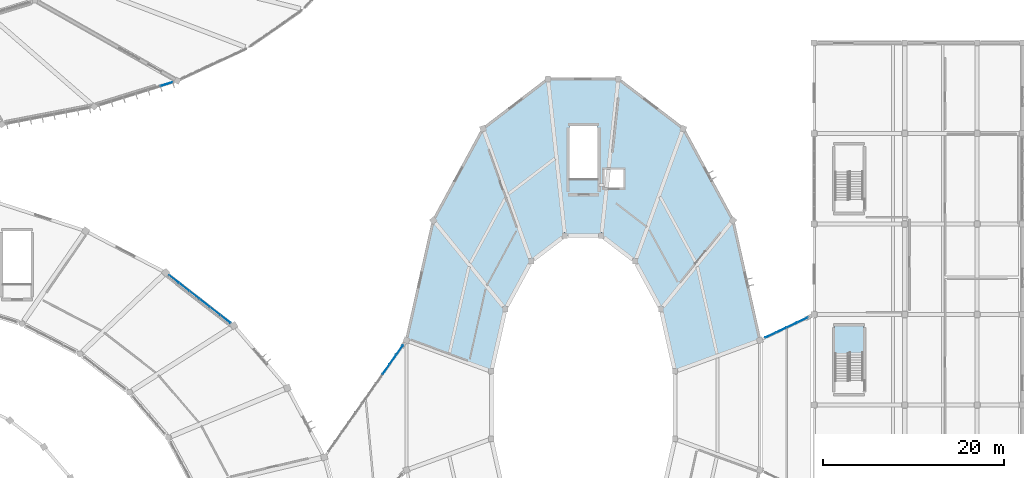
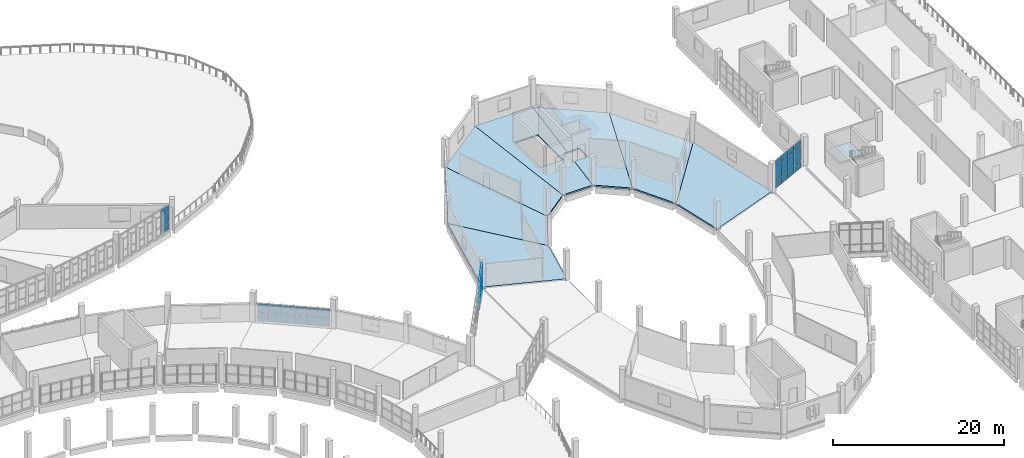
# One storey, part 90 of 142: 36 plates, 8 slabs, 5 elements without a shape of their own.
"""IFC4 building model written with IfcOpenShell, lengths in metres."""

from ifc_helpers import new_model, si_unit, direction, frame, origin, origin_2d, place, context, subcontext, project, spatial, polyline, rectangle, outline, extrude, material, layer, layer_set, type_object, element, aggregate, save


model = new_model("IFC4")

# Units and contexts
model_context = context("Model", 3, precision=1e-05, world=origin(), true_north=direction((0.0, 1.0)))
body_context = subcontext(model_context, "Body", "Model", "MODEL_VIEW")
ifc_project = project(units=[si_unit("LENGTHUNIT", "METRE"), si_unit("AREAUNIT", "SQUARE_METRE"), si_unit("VOLUMEUNIT", "CUBIC_METRE"), si_unit("PLANEANGLEUNIT", "RADIAN"), si_unit("MASSUNIT", "GRAM", prefix="KILO")], contexts=[model_context])

# Site, building, storey
site_placement = place(None, origin())
site = spatial("IfcSite", under=ifc_project, at=site_placement, CompositionType="ELEMENT")
building_placement = place(site_placement, origin())
building = spatial("IfcBuilding", under=site, at=building_placement, Name="Corvandel Quay Wholesale Market", CompositionType="ELEMENT")
storey_placement = place(building_placement, frame((0.0, 0.0, 10.800048828125)))
storey = spatial("IfcBuildingStorey", under=building, at=storey_placement, Name="L02", CompositionType="ELEMENT", Elevation=10.800048828125)

# Curtain wall, plate
ifc_material_1 = material(Name="Bronze anodised aluminium and low-E insulated glazing", Category="aluminium")
ifc_layer_1 = layer(ifc_material_1, 0.197998046875)
ifc_layer_set_1 = layer_set([ifc_layer_1], Name="Bronze anodised aluminium and low-E insulated glazing")
curtain_wall_type_1 = type_object("IfcCurtainWallType", Name="Stick Curtain Wall System CW09 H3810", PredefinedType="NOTDEFINED", material=ifc_layer_set_1)
curtain_wall_1_placement = place(storey_placement, origin())
curtain_wall_1 = element("IfcCurtainWall", 1, at=curtain_wall_1_placement, inside=storey, type_object=curtain_wall_type_1, Name="Curtain Wall CW-0123", PredefinedType="NOTDEFINED")
ifc_material_2 = material(Name="Solar-control low-E insulated glazing", Category="glass")
ifc_layer_2 = layer(ifc_material_2, 0.0400390625)
ifc_layer_set_2 = layer_set([ifc_layer_2], Name="Solar-control low-E insulated glazing")
plate_type_1 = type_object("IfcPlateType", Name="Ceramic Fritted Spandrel Panel PN03 40mm", PredefinedType="CURTAIN_PANEL", material=ifc_layer_set_2)
plate_1_placement = place(storey_placement, frame((148.50390625, 95.43359375, 2.679931640625), z_axis=(0.0, 0.0, 1.0), x_axis=(0.955123398809, 0.296208192067, 0.0)))
plate_1 = element("IfcPlate", 2, at=plate_1_placement, type_object=plate_type_1, Name="Glazing Panel CW-0123-P05-2", PredefinedType="CURTAIN_PANEL", context=body_context, shape_type="SweptSolid", body=[
    extrude(rectangle(XDim=1.35546875, YDim=0.0400390625, at=origin_2d()), origin(), (0.0, 0.0, 1.0), 0.7900390625),
])

# Curtain wall, plates
ifc_layer_3 = layer(ifc_material_1, 0.14990234375)
ifc_layer_set_3 = layer_set([ifc_layer_3], Name="Bronze anodised aluminium and low-E insulated glazing")
curtain_wall_type_2 = type_object("IfcCurtainWallType", Name="Stick Curtain Wall System CW20 H4800", PredefinedType="NOTDEFINED", material=ifc_layer_set_3)
curtain_wall_2_placement = place(storey_placement, origin())
curtain_wall_2 = element("IfcCurtainWall", 3, at=curtain_wall_2_placement, inside=storey, type_object=curtain_wall_type_2, Name="Curtain Wall CW-0179", PredefinedType="NOTDEFINED")
plate_2_placement = place(storey_placement, frame((172.741943359375, 63.94873046875, 3.1474609375), z_axis=(0.0, 0.0, 1.0), x_axis=(0.575148037348, 0.818049347616, 0.0)))
plate_2 = element("IfcPlate", 4, at=plate_2_placement, type_object=plate_type_1, Name="Glazing Panel CW-0179-P08-2", PredefinedType="CURTAIN_PANEL", context=body_context, shape_type="SweptSolid", body=[
    extrude(rectangle(XDim=1.24462890625, YDim=0.0400390625, at=origin_2d()), origin(), (0.0, 0.0, 1.0), 0.794921875),
])
plate_3_placement = place(storey_placement, frame((173.4921875, 65.01611328125, 3.1474609375), z_axis=(0.0, 0.0, 1.0), x_axis=(0.575148037348, 0.818049347616, 0.0)))
plate_3 = element("IfcPlate", 5, at=plate_3_placement, type_object=plate_type_1, Name="Glazing Panel CW-0179-P09-2", PredefinedType="CURTAIN_PANEL", context=body_context, shape_type="SweptSolid", body=[
    extrude(rectangle(XDim=1.24462890625, YDim=0.0400390625, at=origin_2d()), origin(), (0.0, 0.0, 1.0), 0.794921875),
])
plate_4_placement = place(storey_placement, frame((174.242431640625, 66.083251953125, 3.1474609375), z_axis=(0.0, 0.0, 1.0), x_axis=(0.575148037348, 0.818049347616, 0.0)))
plate_4 = element("IfcPlate", 6, at=plate_4_placement, type_object=plate_type_1, Name="Glazing Panel CW-0179-P10-2", PredefinedType="CURTAIN_PANEL", context=body_context, shape_type="SweptSolid", body=[
    extrude(rectangle(XDim=1.24462890625, YDim=0.0400390625, at=origin_2d()), origin(), (0.0, 0.0, 1.0), 0.794921875),
])

ifc_layer_4 = layer(ifc_material_1, 0.162109375)
ifc_layer_set_4 = layer_set([ifc_layer_4], Name="Bronze anodised aluminium and low-E insulated glazing")
curtain_wall_type_3 = type_object("IfcCurtainWallType", Name="Stick Curtain Wall System CW26 H5340", PredefinedType="NOTDEFINED", material=ifc_layer_set_4)
curtain_wall_3_placement = place(storey_placement, origin())
curtain_wall_3 = element("IfcCurtainWall", 7, at=curtain_wall_3_placement, inside=storey, type_object=curtain_wall_type_3, Name="Curtain Wall CW-0183", PredefinedType="NOTDEFINED")
plate_5_placement = place(storey_placement, frame((215.189453125, 67.723876953125, 3.1474609375), z_axis=(0.0, 0.0, 1.0), x_axis=(0.903933318548, 0.427673421689, 0.0)))
plate_5 = element("IfcPlate", 8, at=plate_5_placement, type_object=plate_type_1, Name="Glazing Panel CW-0183-P00-2", PredefinedType="CURTAIN_PANEL", context=body_context, shape_type="SweptSolid", body=[
    extrude(rectangle(XDim=1.241943359375, YDim=0.0400390625, at=origin_2d()), origin(), (0.0, 0.0, 1.0), 0.794921875),
])
plate_6_placement = place(storey_placement, frame((216.366455078125, 68.28076171875, 3.1474609375), z_axis=(0.0, 0.0, 1.0), x_axis=(0.903933318548, 0.427673421689, 0.0)))
plate_6 = element("IfcPlate", 9, at=plate_6_placement, type_object=plate_type_1, Name="Glazing Panel CW-0183-P01-2", PredefinedType="CURTAIN_PANEL", context=body_context, shape_type="SweptSolid", body=[
    extrude(rectangle(XDim=1.241943359375, YDim=0.0400390625, at=origin_2d()), origin(), (0.0, 0.0, 1.0), 0.794921875),
])
plate_7_placement = place(storey_placement, frame((217.543212890625, 68.83740234375, 3.1474609375), z_axis=(0.0, 0.0, 1.0), x_axis=(0.903933318548, 0.427673421689, 0.0)))
plate_7 = element("IfcPlate", 10, at=plate_7_placement, type_object=plate_type_1, Name="Glazing Panel CW-0183-P02-2", PredefinedType="CURTAIN_PANEL", context=body_context, shape_type="SweptSolid", body=[
    extrude(rectangle(XDim=1.241943359375, YDim=0.0400390625, at=origin_2d()), origin(), (0.0, 0.0, 1.0), 0.794921875),
])
plate_8_placement = place(storey_placement, frame((218.72021484375, 69.394287109375, 3.1474609375), z_axis=(0.0, 0.0, 1.0), x_axis=(0.903933318548, 0.427673421689, 0.0)))
plate_8 = element("IfcPlate", 11, at=plate_8_placement, type_object=plate_type_1, Name="Glazing Panel CW-0183-P03-2", PredefinedType="CURTAIN_PANEL", context=body_context, shape_type="SweptSolid", body=[
    extrude(rectangle(XDim=1.241943359375, YDim=0.0400390625, at=origin_2d()), origin(), (0.0, 0.0, 1.0), 0.794921875),
])

# Slabs
ifc_material_3 = material(Name="Precast concrete C45/55", Category="concrete")
ifc_layer_5 = layer(ifc_material_3, 0.219970703125)
ifc_layer_set_5 = layer_set([ifc_layer_5], Name="Precast concrete C45/55")
slab_type_1 = type_object("IfcSlabType", Name="Composite Precast Office Floor Slab 220", PredefinedType="FLOOR", material=ifc_layer_set_5)
slab_1_placement = place(storey_placement, frame((0.0, 0.0, -0.219970703125)))
element("IfcSlab", 12, at=slab_1_placement, inside=storey, type_object=slab_type_1, Name="Slab SLB-0385", PredefinedType="FLOOR", context=body_context, shape_type="SweptSolid", body=[
    extrude(outline(polyline([(204.639892578125, 63.72412109375), (203.095947265625, 70.60400390625), (211.031005859375, 80.39208984375), (214.0, 67.160888671875), (204.639892578125, 63.72412109375)])), origin(), (0.0, 0.0, 1.0), 0.219970703125),
])
slab_2_placement = place(storey_placement, frame((0.0, 0.0, -0.219970703125)))
element("IfcSlab", 13, at=slab_2_placement, inside=storey, type_object=slab_type_1, Name="Slab SLB-0389", PredefinedType="FLOOR", context=body_context, shape_type="SweptSolid", body=[
    extrude(outline(polyline([(203.095947265625, 70.60400390625), (200.243896484375, 75.8701171875), (205.5458984375, 90.51904296875), (211.031005859375, 80.39208984375), (203.095947265625, 70.60400390625)])), origin(), (0.0, 0.0, 1.0), 0.219970703125),
])
slab_3_placement = place(storey_placement, frame((0.0, 0.0, -0.219970703125)))
element("IfcSlab", 14, at=slab_3_placement, inside=storey, type_object=slab_type_1, Name="Slab SLB-0393", PredefinedType="FLOOR", context=body_context, shape_type="SweptSolid", body=[
    extrude(outline(polyline([(198.37890625, 96.0), (205.5458984375, 90.51904296875), (200.243896484375, 75.8701171875), (196.51708984375, 78.719970703125), (197.0859375, 84.0), (198.949951171875, 84.0), (198.949951171875, 86.0), (197.301025390625, 86.0), (198.37890625, 96.0)])), origin(), (0.0, 0.0, 1.0), 0.219970703125),
])
slab_4_placement = place(storey_placement, frame((0.0, 0.0, -0.219970703125)))
element("IfcSlab", 15, at=slab_4_placement, inside=storey, type_object=slab_type_1, Name="Slab SLB-0397", PredefinedType="FLOOR", context=body_context, shape_type="SweptSolid", body=[
    extrude(outline(polyline([(196.51708984375, 78.719970703125), (192.48291015625, 78.719970703125), (190.62109375, 96.0), (198.37890625, 96.0), (197.301025390625, 86.0), (196.85009765625, 86.0), (196.85009765625, 84.0), (197.0859375, 84.0), (196.51708984375, 78.719970703125)]), holes=[polyline([(196.10009765625, 84.89990234375), (196.10009765625, 90.800048828125), (193.0, 90.800048828125), (193.0, 84.89990234375), (196.10009765625, 84.89990234375)])]), origin(), (0.0, 0.0, 1.0), 0.219970703125),
])
slab_5_placement = place(storey_placement, frame((0.0, 0.0, -0.219970703125)))
element("IfcSlab", 16, at=slab_5_placement, inside=storey, type_object=slab_type_1, Name="Slab SLB-0401", PredefinedType="FLOOR", context=body_context, shape_type="SweptSolid", body=[
    extrude(outline(polyline([(192.48291015625, 78.719970703125), (188.756103515625, 75.8701171875), (183.4541015625, 90.51904296875), (190.62109375, 96.0), (192.48291015625, 78.719970703125)])), origin(), (0.0, 0.0, 1.0), 0.219970703125),
])
slab_6_placement = place(storey_placement, frame((0.0, 0.0, -0.219970703125)))
element("IfcSlab", 17, at=slab_6_placement, inside=storey, type_object=slab_type_1, Name="Slab SLB-0405", PredefinedType="FLOOR", context=body_context, shape_type="SweptSolid", body=[
    extrude(outline(polyline([(188.756103515625, 75.8701171875), (185.904052734375, 70.60400390625), (177.968994140625, 80.39208984375), (183.4541015625, 90.51904296875), (188.756103515625, 75.8701171875)])), origin(), (0.0, 0.0, 1.0), 0.219970703125),
])
slab_7_placement = place(storey_placement, frame((0.0, 0.0, -0.219970703125)))
element("IfcSlab", 18, at=slab_7_placement, inside=storey, type_object=slab_type_1, Name="Slab SLB-0409", PredefinedType="FLOOR", context=body_context, shape_type="SweptSolid", body=[
    extrude(outline(polyline([(185.904052734375, 70.60400390625), (184.360107421875, 63.72412109375), (175.0, 67.160888671875), (177.968994140625, 80.39208984375), (185.904052734375, 70.60400390625)])), origin(), (0.0, 0.0, 1.0), 0.219970703125),
])

# Curtain wall, plates
ifc_layer_6 = layer(ifc_material_1, 0.174072265625)
ifc_layer_set_6 = layer_set([ifc_layer_6], Name="Bronze anodised aluminium and low-E insulated glazing")
curtain_wall_type_4 = type_object("IfcCurtainWallType", Name="Stick Curtain Wall System CW12 H4080", PredefinedType="NOTDEFINED", material=ifc_layer_set_6)
curtain_wall_4_placement = place(storey_placement, origin())
curtain_wall_4 = element("IfcCurtainWall", 19, at=curtain_wall_4_placement, inside=storey, type_object=curtain_wall_type_4, Name="Curtain Wall CW-0009", PredefinedType="NOTDEFINED")
ifc_layer_7 = layer(ifc_material_2, 0.028076171875)
ifc_layer_set_7 = layer_set([ifc_layer_7], Name="Solar-control low-E insulated glazing")
plate_type_2 = type_object("IfcPlateType", Name="Double Low-E Vision Panel PN01 28mm", PredefinedType="CURTAIN_PANEL", material=ifc_layer_set_7)
plate_9_placement = place(storey_placement, frame((155.022216796875, 69.49072265625, 0.02978515625), z_axis=(0.0, 0.0, 1.0), x_axis=(-0.789298462742, 0.614009720373, 0.0)))
plate_9 = element("IfcPlate", 20, at=plate_9_placement, type_object=plate_type_2, Name="Glazing Panel CW-0009-P00-0", PredefinedType="CURTAIN_PANEL", context=body_context, shape_type="SweptSolid", body=[
    extrude(rectangle(XDim=1.373291015625, YDim=0.028076171875, at=origin_2d()), origin(), (0.0, 0.0, 1.0), 1.215087890625),
])
plate_10_placement = place(storey_placement, frame((155.022216796875, 69.49072265625, 1.3046875), z_axis=(0.0, 0.0, 1.0), x_axis=(-0.789298462742, 0.614009720373, 0.0)))
plate_10 = element("IfcPlate", 21, at=plate_10_placement, type_object=plate_type_2, Name="Glazing Panel CW-0009-P00-1", PredefinedType="CURTAIN_PANEL", context=body_context, shape_type="SweptSolid", body=[
    extrude(rectangle(XDim=1.373291015625, YDim=0.028076171875, at=origin_2d()), origin(), (0.0, 0.0, 1.0), 1.215087890625),
])
plate_11_placement = place(storey_placement, frame((153.886962890625, 70.373779296875, 0.02978515625), z_axis=(0.0, 0.0, 1.0), x_axis=(-0.789298462742, 0.614009720373, 0.0)))
plate_11 = element("IfcPlate", 22, at=plate_11_placement, type_object=plate_type_2, Name="Glazing Panel CW-0009-P01-0", PredefinedType="CURTAIN_PANEL", context=body_context, shape_type="SweptSolid", body=[
    extrude(rectangle(XDim=1.373291015625, YDim=0.028076171875, at=origin_2d()), origin(), (0.0, 0.0, 1.0), 1.215087890625),
])
plate_12_placement = place(storey_placement, frame((153.886962890625, 70.373779296875, 1.3046875), z_axis=(0.0, 0.0, 1.0), x_axis=(-0.789298462742, 0.614009720373, 0.0)))
plate_12 = element("IfcPlate", 23, at=plate_12_placement, type_object=plate_type_2, Name="Glazing Panel CW-0009-P01-1", PredefinedType="CURTAIN_PANEL", context=body_context, shape_type="SweptSolid", body=[
    extrude(rectangle(XDim=1.373291015625, YDim=0.028076171875, at=origin_2d()), origin(), (0.0, 0.0, 1.0), 1.215087890625),
])
plate_13_placement = place(storey_placement, frame((152.751708984375, 71.257080078125, 0.02978515625), z_axis=(0.0, 0.0, 1.0), x_axis=(-0.789298462742, 0.614009720373, 0.0)))
plate_13 = element("IfcPlate", 24, at=plate_13_placement, type_object=plate_type_2, Name="Glazing Panel CW-0009-P02-0", PredefinedType="CURTAIN_PANEL", context=body_context, shape_type="SweptSolid", body=[
    extrude(rectangle(XDim=1.373291015625, YDim=0.028076171875, at=origin_2d()), origin(), (0.0, 0.0, 1.0), 1.215087890625),
])
plate_14_placement = place(storey_placement, frame((152.751708984375, 71.257080078125, 1.3046875), z_axis=(0.0, 0.0, 1.0), x_axis=(-0.789298462742, 0.614009720373, 0.0)))
plate_14 = element("IfcPlate", 25, at=plate_14_placement, type_object=plate_type_2, Name="Glazing Panel CW-0009-P02-1", PredefinedType="CURTAIN_PANEL", context=body_context, shape_type="SweptSolid", body=[
    extrude(rectangle(XDim=1.373291015625, YDim=0.028076171875, at=origin_2d()), origin(), (0.0, 0.0, 1.0), 1.215087890625),
])
plate_15_placement = place(storey_placement, frame((151.616455078125, 72.139892578125, 0.02978515625), z_axis=(0.0, 0.0, 1.0), x_axis=(-0.789298462742, 0.614009720373, 0.0)))
plate_15 = element("IfcPlate", 26, at=plate_15_placement, type_object=plate_type_2, Name="Glazing Panel CW-0009-P03-0", PredefinedType="CURTAIN_PANEL", context=body_context, shape_type="SweptSolid", body=[
    extrude(rectangle(XDim=1.373291015625, YDim=0.028076171875, at=origin_2d()), origin(), (0.0, 0.0, 1.0), 1.215087890625),
])
plate_16_placement = place(storey_placement, frame((151.616455078125, 72.139892578125, 1.3046875), z_axis=(0.0, 0.0, 1.0), x_axis=(-0.789298462742, 0.614009720373, 0.0)))
plate_16 = element("IfcPlate", 27, at=plate_16_placement, type_object=plate_type_2, Name="Glazing Panel CW-0009-P03-1", PredefinedType="CURTAIN_PANEL", context=body_context, shape_type="SweptSolid", body=[
    extrude(rectangle(XDim=1.373291015625, YDim=0.028076171875, at=origin_2d()), origin(), (0.0, 0.0, 1.0), 1.215087890625),
])
plate_17_placement = place(storey_placement, frame((150.481201171875, 73.023193359375, 0.02978515625), z_axis=(0.0, 0.0, 1.0), x_axis=(-0.789298462742, 0.614009720373, 0.0)))
plate_17 = element("IfcPlate", 28, at=plate_17_placement, type_object=plate_type_2, Name="Glazing Panel CW-0009-P04-0", PredefinedType="CURTAIN_PANEL", context=body_context, shape_type="SweptSolid", body=[
    extrude(rectangle(XDim=1.373291015625, YDim=0.028076171875, at=origin_2d()), origin(), (0.0, 0.0, 1.0), 1.215087890625),
])
plate_18_placement = place(storey_placement, frame((150.481201171875, 73.023193359375, 1.3046875), z_axis=(0.0, 0.0, 1.0), x_axis=(-0.789298462742, 0.614009720373, 0.0)))
plate_18 = element("IfcPlate", 29, at=plate_18_placement, type_object=plate_type_2, Name="Glazing Panel CW-0009-P04-1", PredefinedType="CURTAIN_PANEL", context=body_context, shape_type="SweptSolid", body=[
    extrude(rectangle(XDim=1.373291015625, YDim=0.028076171875, at=origin_2d()), origin(), (0.0, 0.0, 1.0), 1.215087890625),
])
plate_19_placement = place(storey_placement, frame((149.345703125, 73.90625, 0.02978515625), z_axis=(0.0, 0.0, 1.0), x_axis=(-0.789298462742, 0.614009720373, 0.0)))
plate_19 = element("IfcPlate", 30, at=plate_19_placement, type_object=plate_type_2, Name="Glazing Panel CW-0009-P05-0", PredefinedType="CURTAIN_PANEL", context=body_context, shape_type="SweptSolid", body=[
    extrude(rectangle(XDim=1.373291015625, YDim=0.028076171875, at=origin_2d()), origin(), (0.0, 0.0, 1.0), 1.215087890625),
])
plate_20_placement = place(storey_placement, frame((149.345703125, 73.90625, 1.3046875), z_axis=(0.0, 0.0, 1.0), x_axis=(-0.789298462742, 0.614009720373, 0.0)))
plate_20 = element("IfcPlate", 31, at=plate_20_placement, type_object=plate_type_2, Name="Glazing Panel CW-0009-P05-1", PredefinedType="CURTAIN_PANEL", context=body_context, shape_type="SweptSolid", body=[
    extrude(rectangle(XDim=1.373291015625, YDim=0.028076171875, at=origin_2d()), origin(), (0.0, 0.0, 1.0), 1.215087890625),
])
aggregate(curtain_wall_4, [plate_9, plate_10, plate_11, plate_12, plate_13, plate_14, plate_15, plate_16, plate_17, plate_18, plate_19, plate_20])

# Plate
plate_21_placement = place(storey_placement, frame((148.50390625, 95.43359375, 0.02978515625), z_axis=(0.0, 0.0, 1.0), x_axis=(0.955123398809, 0.296208192067, 0.0)))
plate_21 = element("IfcPlate", 32, at=plate_21_placement, type_object=plate_type_2, Name="Glazing Panel CW-0123-P05-0", PredefinedType="CURTAIN_PANEL", context=body_context, shape_type="SweptSolid", body=[
    extrude(rectangle(XDim=1.35546875, YDim=0.028076171875, at=origin_2d()), origin(), (0.0, 0.0, 1.0), 0.989990234375),
])

plate_22_placement = place(storey_placement, frame((148.50390625, 95.43359375, 1.079833984375), z_axis=(0.0, 0.0, 1.0), x_axis=(0.955123398809, 0.296208192067, 0.0)))
plate_22 = element("IfcPlate", 33, at=plate_22_placement, type_object=plate_type_2, Name="Glazing Panel CW-0123-P05-1", PredefinedType="CURTAIN_PANEL", context=body_context, shape_type="SweptSolid", body=[
    extrude(rectangle(XDim=1.35546875, YDim=0.028076171875, at=origin_2d()), origin(), (0.0, 0.0, 1.0), 1.5400390625),
])

aggregate(curtain_wall_1, [plate_21, plate_22, plate_1])

plate_23_placement = place(storey_placement, frame((172.741943359375, 63.94873046875, -0.002685546875), z_axis=(0.0, 0.0, 1.0), x_axis=(0.575148037348, 0.818049347616, 0.0)))
plate_23 = element("IfcPlate", 34, at=plate_23_placement, type_object=plate_type_2, Name="Glazing Panel CW-0179-P08-0", PredefinedType="CURTAIN_PANEL", context=body_context, shape_type="SweptSolid", body=[
    extrude(rectangle(XDim=1.24462890625, YDim=0.028076171875, at=origin_2d()), origin(), (0.0, 0.0, 1.0), 0.9951171875),
])

plate_24_placement = place(storey_placement, frame((172.741943359375, 63.94873046875, 1.047607421875), z_axis=(0.0, 0.0, 1.0), x_axis=(0.575148037348, 0.818049347616, 0.0)))
plate_24 = element("IfcPlate", 35, at=plate_24_placement, type_object=plate_type_2, Name="Glazing Panel CW-0179-P08-1", PredefinedType="CURTAIN_PANEL", context=body_context, shape_type="SweptSolid", body=[
    extrude(rectangle(XDim=1.24462890625, YDim=0.028076171875, at=origin_2d()), origin(), (0.0, 0.0, 1.0), 2.044921875),
])

plate_25_placement = place(storey_placement, frame((173.4921875, 65.01611328125, -0.002685546875), z_axis=(0.0, 0.0, 1.0), x_axis=(0.575148037348, 0.818049347616, 0.0)))
plate_25 = element("IfcPlate", 36, at=plate_25_placement, type_object=plate_type_2, Name="Glazing Panel CW-0179-P09-0", PredefinedType="CURTAIN_PANEL", context=body_context, shape_type="SweptSolid", body=[
    extrude(rectangle(XDim=1.24462890625, YDim=0.028076171875, at=origin_2d()), origin(), (0.0, 0.0, 1.0), 0.9951171875),
])

plate_26_placement = place(storey_placement, frame((173.4921875, 65.01611328125, 1.047607421875), z_axis=(0.0, 0.0, 1.0), x_axis=(0.575148037348, 0.818049347616, 0.0)))
plate_26 = element("IfcPlate", 37, at=plate_26_placement, type_object=plate_type_2, Name="Glazing Panel CW-0179-P09-1", PredefinedType="CURTAIN_PANEL", context=body_context, shape_type="SweptSolid", body=[
    extrude(rectangle(XDim=1.24462890625, YDim=0.028076171875, at=origin_2d()), origin(), (0.0, 0.0, 1.0), 2.044921875),
])

plate_27_placement = place(storey_placement, frame((174.242431640625, 66.083251953125, -0.002685546875), z_axis=(0.0, 0.0, 1.0), x_axis=(0.575148037348, 0.818049347616, 0.0)))
plate_27 = element("IfcPlate", 38, at=plate_27_placement, type_object=plate_type_2, Name="Glazing Panel CW-0179-P10-0", PredefinedType="CURTAIN_PANEL", context=body_context, shape_type="SweptSolid", body=[
    extrude(rectangle(XDim=1.24462890625, YDim=0.028076171875, at=origin_2d()), origin(), (0.0, 0.0, 1.0), 0.9951171875),
])

plate_28_placement = place(storey_placement, frame((174.242431640625, 66.083251953125, 1.047607421875), z_axis=(0.0, 0.0, 1.0), x_axis=(0.575148037348, 0.818049347616, 0.0)))
plate_28 = element("IfcPlate", 39, at=plate_28_placement, type_object=plate_type_2, Name="Glazing Panel CW-0179-P10-1", PredefinedType="CURTAIN_PANEL", context=body_context, shape_type="SweptSolid", body=[
    extrude(rectangle(XDim=1.24462890625, YDim=0.028076171875, at=origin_2d()), origin(), (0.0, 0.0, 1.0), 2.044921875),
])

aggregate(curtain_wall_2, [plate_23, plate_24, plate_2, plate_25, plate_26, plate_3, plate_27, plate_28, plate_4])

plate_29_placement = place(storey_placement, frame((215.189453125, 67.723876953125, -0.002685546875), z_axis=(0.0, 0.0, 1.0), x_axis=(0.903933318548, 0.427673421689, 0.0)))
plate_29 = element("IfcPlate", 40, at=plate_29_placement, type_object=plate_type_2, Name="Glazing Panel CW-0183-P00-0", PredefinedType="CURTAIN_PANEL", context=body_context, shape_type="SweptSolid", body=[
    extrude(rectangle(XDim=1.241943359375, YDim=0.028076171875, at=origin_2d()), origin(), (0.0, 0.0, 1.0), 0.9951171875),
])

plate_30_placement = place(storey_placement, frame((215.189453125, 67.723876953125, 1.047607421875), z_axis=(0.0, 0.0, 1.0), x_axis=(0.903933318548, 0.427673421689, 0.0)))
plate_30 = element("IfcPlate", 41, at=plate_30_placement, type_object=plate_type_2, Name="Glazing Panel CW-0183-P00-1", PredefinedType="CURTAIN_PANEL", context=body_context, shape_type="SweptSolid", body=[
    extrude(rectangle(XDim=1.241943359375, YDim=0.028076171875, at=origin_2d()), origin(), (0.0, 0.0, 1.0), 2.044921875),
])

plate_31_placement = place(storey_placement, frame((216.366455078125, 68.28076171875, -0.002685546875), z_axis=(0.0, 0.0, 1.0), x_axis=(0.903933318548, 0.427673421689, 0.0)))
plate_31 = element("IfcPlate", 42, at=plate_31_placement, type_object=plate_type_2, Name="Glazing Panel CW-0183-P01-0", PredefinedType="CURTAIN_PANEL", context=body_context, shape_type="SweptSolid", body=[
    extrude(rectangle(XDim=1.241943359375, YDim=0.028076171875, at=origin_2d()), origin(), (0.0, 0.0, 1.0), 0.9951171875),
])

plate_32_placement = place(storey_placement, frame((216.366455078125, 68.28076171875, 1.047607421875), z_axis=(0.0, 0.0, 1.0), x_axis=(0.903933318548, 0.427673421689, 0.0)))
plate_32 = element("IfcPlate", 43, at=plate_32_placement, type_object=plate_type_2, Name="Glazing Panel CW-0183-P01-1", PredefinedType="CURTAIN_PANEL", context=body_context, shape_type="SweptSolid", body=[
    extrude(rectangle(XDim=1.241943359375, YDim=0.028076171875, at=origin_2d()), origin(), (0.0, 0.0, 1.0), 2.044921875),
])

plate_33_placement = place(storey_placement, frame((217.543212890625, 68.83740234375, -0.002685546875), z_axis=(0.0, 0.0, 1.0), x_axis=(0.903933318548, 0.427673421689, 0.0)))
plate_33 = element("IfcPlate", 44, at=plate_33_placement, type_object=plate_type_2, Name="Glazing Panel CW-0183-P02-0", PredefinedType="CURTAIN_PANEL", context=body_context, shape_type="SweptSolid", body=[
    extrude(rectangle(XDim=1.241943359375, YDim=0.028076171875, at=origin_2d()), origin(), (0.0, 0.0, 1.0), 0.9951171875),
])

plate_34_placement = place(storey_placement, frame((217.543212890625, 68.83740234375, 1.047607421875), z_axis=(0.0, 0.0, 1.0), x_axis=(0.903933318548, 0.427673421689, 0.0)))
plate_34 = element("IfcPlate", 45, at=plate_34_placement, type_object=plate_type_2, Name="Glazing Panel CW-0183-P02-1", PredefinedType="CURTAIN_PANEL", context=body_context, shape_type="SweptSolid", body=[
    extrude(rectangle(XDim=1.241943359375, YDim=0.028076171875, at=origin_2d()), origin(), (0.0, 0.0, 1.0), 2.044921875),
])

plate_35_placement = place(storey_placement, frame((218.72021484375, 69.394287109375, -0.002685546875), z_axis=(0.0, 0.0, 1.0), x_axis=(0.903933318548, 0.427673421689, 0.0)))
plate_35 = element("IfcPlate", 46, at=plate_35_placement, type_object=plate_type_2, Name="Glazing Panel CW-0183-P03-0", PredefinedType="CURTAIN_PANEL", context=body_context, shape_type="SweptSolid", body=[
    extrude(rectangle(XDim=1.241943359375, YDim=0.028076171875, at=origin_2d()), origin(), (0.0, 0.0, 1.0), 0.9951171875),
])

plate_36_placement = place(storey_placement, frame((218.72021484375, 69.394287109375, 1.047607421875), z_axis=(0.0, 0.0, 1.0), x_axis=(0.903933318548, 0.427673421689, 0.0)))
plate_36 = element("IfcPlate", 47, at=plate_36_placement, type_object=plate_type_2, Name="Glazing Panel CW-0183-P03-1", PredefinedType="CURTAIN_PANEL", context=body_context, shape_type="SweptSolid", body=[
    extrude(rectangle(XDim=1.241943359375, YDim=0.028076171875, at=origin_2d()), origin(), (0.0, 0.0, 1.0), 2.044921875),
])

aggregate(curtain_wall_3, [plate_29, plate_30, plate_5, plate_31, plate_32, plate_6, plate_33, plate_34, plate_7, plate_35, plate_36, plate_8])

# Stair, slab
ifc_material_4 = material(Name="Concrete C40/50", Category="concrete")
stair_type = type_object("IfcStairType", Name="Exit Stair Two-Return L02-L03 ST03", PredefinedType="USERDEFINED", material=ifc_material_4)
stair_placement = place(storey_placement, origin())
stair = element("IfcStair", 48, at=stair_placement, inside=storey, type_object=stair_type, Name="Exit Stair STR-034", ObjectType="TWO_RETURN_STAIR", PredefinedType="USERDEFINED")
ifc_layer_8 = layer(ifc_material_4, 0.219970703125)
ifc_layer_set_8 = layer_set([ifc_layer_8], Name="Concrete C40/50")
slab_type_2 = type_object("IfcSlabType", Name="Precast Stair Landing LND03 220", PredefinedType="LANDING", material=ifc_layer_set_8)
slab_8_placement = place(storey_placement, frame((0.0, 0.0, 1.8798828125)))
slab_8 = element("IfcSlab", 49, at=slab_8_placement, type_object=slab_type_2, Name="Stair Landing STR-034-LND", PredefinedType="LANDING", context=body_context, shape_type="SweptSolid", body=[
    extrude(outline(polyline([(222.260009765625, 65.6298828125), (225.43994140625, 65.6298828125), (225.43994140625, 68.739990234375), (222.260009765625, 68.739990234375), (222.260009765625, 65.6298828125)])), origin(), (0.0, 0.0, 1.0), 0.219970703125),
])
aggregate(stair, [slab_8])

save(model, "model.ifc")
